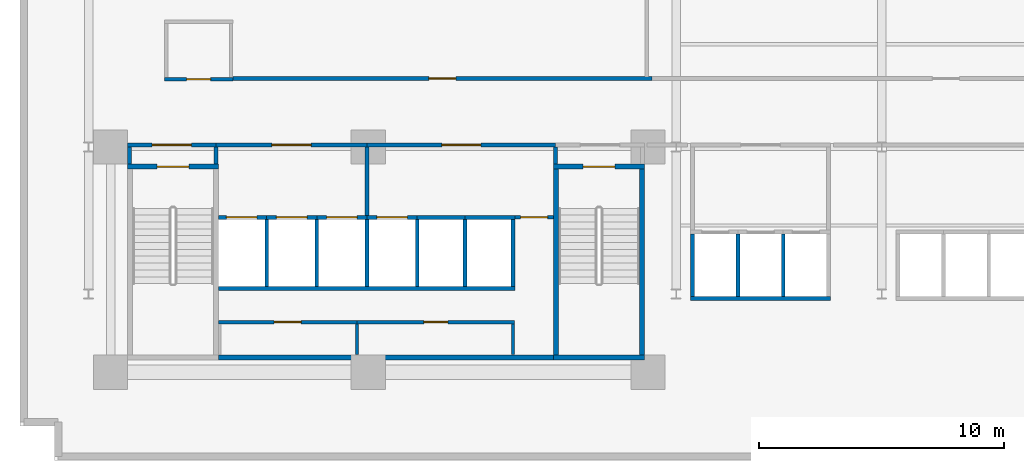
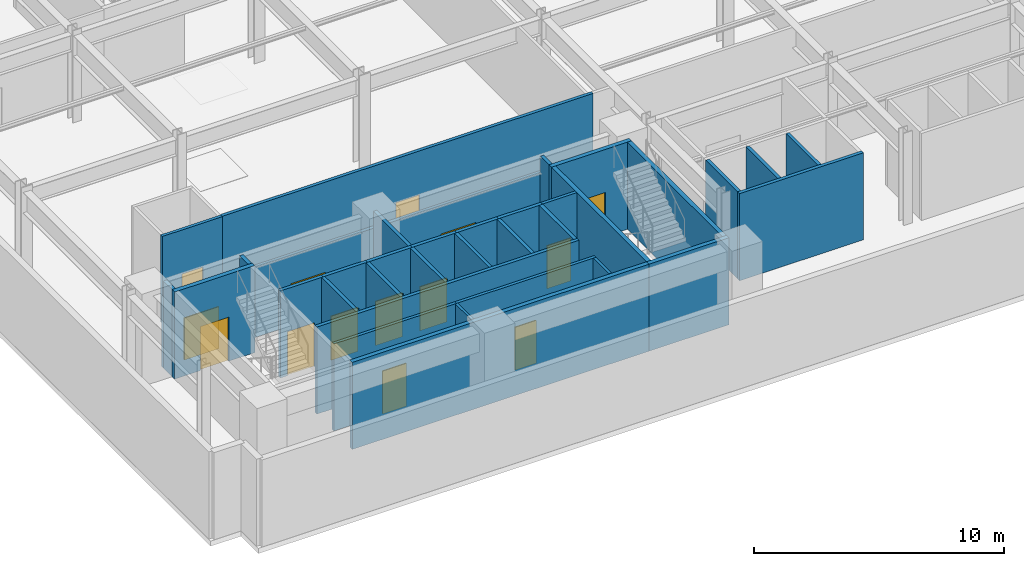
# One storey, part 14 of 26: 37 walls, 14 doors, 14 openings.
"""IFC4 building model written with IfcOpenShell, lengths in metres."""

from ifc_helpers import new_model, si_unit, direction, frame, frame_2d, origin, place, context, subcontext, project, spatial, rectangle, extrude, material, layer, layer_set, type_object, element, fill, save


model = new_model("IFC4")

# Units and contexts
model_context = context("Model", 3, precision=1e-05, world=origin(), true_north=direction((0.0, 1.0)))
body_context = subcontext(model_context, "Body", "Model", "MODEL_VIEW")
ifc_project = project(units=[si_unit("LENGTHUNIT", "METRE"), si_unit("AREAUNIT", "SQUARE_METRE"), si_unit("VOLUMEUNIT", "CUBIC_METRE"), si_unit("PLANEANGLEUNIT", "RADIAN"), si_unit("MASSUNIT", "GRAM", prefix="KILO")], contexts=[model_context])

# Site, building, storey
site_placement = place(None, origin())
site = spatial("IfcSite", under=ifc_project, at=site_placement, CompositionType="ELEMENT")
building_placement = place(site_placement, origin())
building = spatial("IfcBuilding", under=site, at=building_placement, Name="Varnakote Quay Hospital", CompositionType="ELEMENT")
storey_placement = place(building_placement, frame((0.0, 0.0, 13.5)))
storey = spatial("IfcBuildingStorey", under=building, at=storey_placement, Name="L03", CompositionType="ELEMENT", Elevation=13.5)

# Wall
ifc_material_1 = material(Name="Fire-rated acoustic gypsum stud wall", Category="gypsum")
ifc_layer_1 = layer(ifc_material_1, 0.159912109375)
ifc_layer_set_1 = layer_set([ifc_layer_1], Name="Fire-rated acoustic gypsum stud wall")
wall_type_1 = type_object("IfcWallType", Name="WL-COMP-160", PredefinedType="PARTITIONING", material=ifc_layer_set_1)
wall_1_placement = place(storey_placement, frame((2.8798828125, 11.300048828125, 0.0), z_axis=(0.0, 0.0, 1.0), x_axis=(0.0, 1.0, 0.0)))
element("IfcWall", 1, at=wall_1_placement, inside=storey, type_object=wall_type_1, Name="L03 West Stair Vestibule West Wall", PredefinedType="PARTITIONING", context=body_context, shape_type="SweptSolid", body=[
    extrude(rectangle(XDim=0.699951171875, YDim=0.159912109375, at=frame_2d((0.35009765625, 0.0))), origin(), (0.0, 0.0, 1.0), 4.25),
])

# Wall, opening, door
wall_2_placement = place(storey_placement, frame((2.800048828125, 12.080078125, 0.0), z_axis=(0.0, 0.0, 1.0), x_axis=(1.0, 0.0, 0.0)))
wall_2 = element("IfcWall", 2, at=wall_2_placement, inside=storey, type_object=wall_type_1, Name="L03 West Stair Vestibule Smoke Wall", PredefinedType="PARTITIONING", context=body_context, shape_type="SweptSolid", body=[
    extrude(rectangle(XDim=3.599853515625, YDim=0.159912109375, at=frame_2d((1.7998046875, 0.0))), origin(), (0.0, 0.0, 1.0), 3.425048828125),
])
opening_1_placement = place(wall_2_placement, frame((1.0, 0.0, 0.0)))
opening_1 = element("IfcOpeningElement", 3, at=opening_1_placement, cuts=wall_2, Name="Opening D-ST1L-L03", PredefinedType="OPENING", context=body_context, shape_type="SweptSolid", body=[
    extrude(rectangle(XDim=1.60009765625, YDim=2.050048828125, at=frame_2d((0.800048828125, 1.02490234375))), frame((0.0, 0.08984375, 0.0), z_axis=(0.0, -1.0, 0.0), x_axis=(1.0, 0.0, 0.0)), (0.0, 0.0, 1.0), 0.179931640625),
])
ifc_material_2 = material(Name="Fire-rated double smoke lobby door")
door_type_1 = type_object("IfcDoorType", Name="DR-LOBBY-FD60S-1600x2150", OperationType="NOTDEFINED", PredefinedType="DOOR", material=ifc_material_2)
door_1_placement = place(opening_1_placement, origin())
door_1 = element("IfcDoor", 4, at=door_1_placement, inside=storey, type_object=door_type_1, Name="L03 West Stair Vestibule Smoke Door", OperationType="DOUBLE_DOOR_SINGLE_SWING", OverallHeight=2.050048828125, OverallWidth=1.60009765625, PredefinedType="DOOR", context=body_context, shape_type="SweptSolid", body=[
    extrude(rectangle(XDim=1.60009765625, YDim=2.050048828125, at=frame_2d((0.800048828125, 1.02490234375))), frame((0.0, 0.02490234375, 0.0), z_axis=(0.0, -1.0, 0.0), x_axis=(1.0, 0.0, 0.0)), (0.0, 0.0, 1.0), 0.050048828125),
])
fill(opening_1, door_1)

# Wall
wall_3_placement = place(storey_placement, frame((6.39990234375, 11.300048828125, 0.0), z_axis=(0.0, 0.0, 1.0), x_axis=(0.0, 1.0, 0.0)))
element("IfcWall", 5, at=wall_3_placement, inside=storey, type_object=wall_type_1, Name="L03 Firefighting Lobby West Wall", PredefinedType="PARTITIONING", context=body_context, shape_type="SweptSolid", body=[
    extrude(rectangle(XDim=0.699951171875, YDim=0.159912109375, at=frame_2d((0.35009765625, 0.0))), origin(), (0.0, 0.0, 1.0), 4.25),
])

# Wall, opening, door
wall_4_placement = place(storey_placement, frame((6.39990234375, 12.080078125, 0.0), z_axis=(0.0, 0.0, 1.0), x_axis=(1.0, 0.0, 0.0)))
wall_4 = element("IfcWall", 6, at=wall_4_placement, inside=storey, type_object=wall_type_1, Name="L03 Firefighting Lift Lobby Compartment Wall", PredefinedType="PARTITIONING", context=body_context, shape_type="SweptSolid", body=[
    extrude(rectangle(XDim=6.18017578125, YDim=0.159912109375, at=frame_2d((3.090087890625, 0.0))), origin(), (0.0, 0.0, 1.0), 3.425048828125),
])
opening_2_placement = place(wall_4_placement, frame((2.2900390625, 0.0, 0.0)))
opening_2 = element("IfcOpeningElement", 7, at=opening_2_placement, cuts=wall_4, Name="Opening D-FFL-L03", PredefinedType="OPENING", context=body_context, shape_type="SweptSolid", body=[
    extrude(rectangle(XDim=1.60009765625, YDim=2.050048828125, at=frame_2d((0.800048828125, 1.02490234375))), frame((0.0, 0.08984375, 0.0), z_axis=(0.0, -1.0, 0.0), x_axis=(1.0, 0.0, 0.0)), (0.0, 0.0, 1.0), 0.179931640625),
])
door_2_placement = place(opening_2_placement, origin())
door_2 = element("IfcDoor", 8, at=door_2_placement, inside=storey, type_object=door_type_1, Name="L03 Firefighting Smoke Vestibule Door", OperationType="DOUBLE_DOOR_SINGLE_SWING", OverallHeight=2.050048828125, OverallWidth=1.60009765625, PredefinedType="DOOR", context=body_context, shape_type="SweptSolid", body=[
    extrude(rectangle(XDim=1.60009765625, YDim=2.050048828125, at=frame_2d((0.800048828125, 1.02490234375))), frame((0.0, 0.02490234375, 0.0), z_axis=(0.0, -1.0, 0.0), x_axis=(1.0, 0.0, 0.0)), (0.0, 0.0, 1.0), 0.050048828125),
])
fill(opening_2, door_2)

# Wall
wall_5_placement = place(storey_placement, frame((12.580078125, 9.2099609375, 0.0), z_axis=(0.0, 0.0, 1.0), x_axis=(0.0, 1.0, 0.0)))
element("IfcWall", 9, at=wall_5_placement, inside=storey, type_object=wall_type_1, Name="L03 Firefighting to Service Lobby Wall", PredefinedType="PARTITIONING", context=body_context, shape_type="SweptSolid", body=[
    extrude(rectangle(XDim=2.7900390625, YDim=0.159912109375, at=frame_2d((1.39501953125, 0.0))), origin(), (0.0, 0.0, 1.0), 4.25),
])

# Wall, opening, door
wall_6_placement = place(storey_placement, frame((12.580078125, 12.080078125, 0.0), z_axis=(0.0, 0.0, 1.0), x_axis=(1.0, 0.0, 0.0)))
wall_6 = element("IfcWall", 10, at=wall_6_placement, inside=storey, type_object=wall_type_1, Name="L03 Clinical Bed Lift Lobby Wall", PredefinedType="PARTITIONING", context=body_context, shape_type="SweptSolid", body=[
    extrude(rectangle(XDim=7.699951171875, YDim=0.159912109375, at=frame_2d((3.85009765625, 0.0))), origin(), (0.0, 0.0, 1.0), 3.425048828125),
])
opening_3_placement = place(wall_6_placement, frame((3.050048828125, 0.0, 0.0)))
opening_3 = element("IfcOpeningElement", 11, at=opening_3_placement, cuts=wall_6, Name="Opening D-SVL-L03", PredefinedType="OPENING", context=body_context, shape_type="SweptSolid", body=[
    extrude(rectangle(XDim=1.60009765625, YDim=2.050048828125, at=frame_2d((0.800048828125, 1.02490234375))), frame((0.0, 0.08984375, 0.0), z_axis=(0.0, -1.0, 0.0), x_axis=(1.0, 0.0, 0.0)), (0.0, 0.0, 1.0), 0.179931640625),
])
door_3_placement = place(opening_3_placement, origin())
door_3 = element("IfcDoor", 12, at=door_3_placement, inside=storey, type_object=door_type_1, Name="L03 Clinical Core Smoke Vestibule Door", OperationType="DOUBLE_DOOR_SINGLE_SWING", OverallHeight=2.050048828125, OverallWidth=1.60009765625, PredefinedType="DOOR", context=body_context, shape_type="SweptSolid", body=[
    extrude(rectangle(XDim=1.60009765625, YDim=2.050048828125, at=frame_2d((0.800048828125, 1.02490234375))), frame((0.0, 0.02490234375, 0.0), z_axis=(0.0, -1.0, 0.0), x_axis=(1.0, 0.0, 0.0)), (0.0, 0.0, 1.0), 0.050048828125),
])
fill(opening_3, door_3)

# Walls
wall_7_placement = place(storey_placement, frame((20.280029296875, 11.300048828125, 0.0), z_axis=(0.0, 0.0, 1.0), x_axis=(0.0, 1.0, 0.0)))
element("IfcWall", 13, at=wall_7_placement, inside=storey, type_object=wall_type_1, Name="L03 East Stair Vestibule Divider Wall", PredefinedType="PARTITIONING", context=body_context, shape_type="SweptSolid", body=[
    extrude(rectangle(XDim=0.699951171875, YDim=0.159912109375, at=frame_2d((0.35009765625, 0.0))), origin(), (0.0, 0.0, 1.0), 4.25),
])
ifc_material_3 = material(Name="Concrete N80 (f'c 80 MPa)", Category="concrete")
ifc_layer_2 = layer(ifc_material_3, 0.199951171875)
ifc_layer_set_2 = layer_set([ifc_layer_2], Name="Concrete N80 (f'c 80 MPa)")
wall_type_2 = type_object("IfcWallType", Name="WL-CORE-N80-200", PredefinedType="SHEAR", material=ifc_layer_set_2)
wall_8_placement = place(storey_placement, frame((6.5, 3.39990234375, 0.0), z_axis=(0.0, 0.0, 1.0), x_axis=(1.0, 0.0, 0.0)))
element("IfcWall", 14, at=wall_8_placement, inside=storey, type_object=wall_type_2, Name="L03 Rear Core South Shear Wall", PredefinedType="SHEAR", context=body_context, shape_type="SweptSolid", body=[
    extrude(rectangle(XDim=13.699951171875, YDim=0.199951171875, at=frame_2d((6.85009765625, 0.0))), origin(), (0.0, 0.0, 1.0), 4.25),
])
ifc_material_4 = material(Name="Concrete N50 (f'c 50 MPa)", Category="concrete")
ifc_layer_3 = layer(ifc_material_4, 0.14990234375)
ifc_layer_set_3 = layer_set([ifc_layer_3], Name="Concrete N50 (f'c 50 MPa)")
wall_type_3 = type_object("IfcWallType", Name="WL-SHAFT-N50-150", PredefinedType="SHEAR", material=ifc_layer_set_3)
for number, where, z_axis, x_axis, name in (
    (15, (8.47509765625, 6.300048828125, 0.0), (0.0, 0.0, 1.0), (0.0, 1.0, 0.0), "L03 LF-FF1 Hoistway Divider Wall"),
    (16, (10.52490234375, 6.300048828125, 0.0), (0.0, 0.0, 1.0), (0.0, 1.0, 0.0), "L03 LF-FF2 Hoistway Divider Wall"),
    (17, (12.574951171875, 6.300048828125, 0.0), (0.0, 0.0, 1.0), (0.0, 1.0, 0.0), "L03 LF-SV1 Hoistway Divider Wall"),
    (18, (14.625, 6.300048828125, 0.0), (0.0, 0.0, 1.0), (0.0, 1.0, 0.0), "L03 LF-SV2 Hoistway Divider Wall"),
    (19, (16.574951171875, 6.300048828125, 0.0), (0.0, 0.0, 1.0), (0.0, 1.0, 0.0), "L03 LF-PH1 Hoistway Divider Wall"),
):
    element("IfcWall", number, at=place(storey_placement, frame(where, z_axis=z_axis, x_axis=x_axis)), inside=storey, type_object=wall_type_3, Name=name, PredefinedType="SHEAR", context=body_context, shape_type="SweptSolid", body=[
        extrude(rectangle(XDim=2.75, YDim=0.14990234375, at=frame_2d((1.375, 0.0))), origin(), (0.0, 0.0, 1.0), 4.25),
    ])
for number, where, z_axis, x_axis, name in (
    (20, (27.72509765625, 5.89990234375, 0.0), (0.0, 0.0, 1.0), (0.0, 1.0, 0.0), "L03 LF-PL1 Hoistway Divider Wall"),
    (21, (29.574951171875, 5.89990234375, 0.0), (0.0, 0.0, 1.0), (0.0, 1.0, 0.0), "L03 LF-PL2 Hoistway Divider Wall"),
):
    element("IfcWall", number, at=place(storey_placement, frame(where, z_axis=z_axis, x_axis=x_axis)), inside=storey, type_object=wall_type_3, Name=name, PredefinedType="SHEAR", context=body_context, shape_type="SweptSolid", body=[
        extrude(rectangle(XDim=2.550048828125, YDim=0.14990234375, at=frame_2d((1.27490234375, 0.0))), origin(), (0.0, 0.0, 1.0), 4.25),
    ])
ifc_material_5 = material(Name="Concrete N50 (f'c 50 MPa)", Category="concrete")
ifc_layer_4 = layer(ifc_material_5, 0.159912109375)
ifc_layer_set_4 = layer_set([ifc_layer_4], Name="Concrete N50 (f'c 50 MPa)")
wall_type_4 = type_object("IfcWallType", Name="WL-SHAFT-N50-160", PredefinedType="SHEAR", material=ifc_layer_set_4)
wall_9_placement = place(storey_placement, frame((6.5, 6.219970703125, 0.0), z_axis=(0.0, 0.0, 1.0), x_axis=(1.0, 0.0, 0.0)))
element("IfcWall", 22, at=wall_9_placement, inside=storey, type_object=wall_type_4, Name="L03 REAR Lift Bank Back Shear Wall", PredefinedType="SHEAR", context=body_context, shape_type="SweptSolid", body=[
    extrude(rectangle(XDim=12.110107421875, YDim=0.159912109375, at=frame_2d((6.05517578125, 0.0))), origin(), (0.0, 0.0, 1.0), 4.25),
])
wall_10_placement = place(storey_placement, frame((18.530029296875, 6.300048828125, 0.0), z_axis=(0.0, 0.0, 1.0), x_axis=(0.0, 1.0, 0.0)))
element("IfcWall", 23, at=wall_10_placement, inside=storey, type_object=wall_type_4, Name="L03 REAR Lift Bank East Shear Wall", PredefinedType="SHEAR", context=body_context, shape_type="SweptSolid", body=[
    extrude(rectangle(XDim=2.75, YDim=0.159912109375, at=frame_2d((1.375, 0.0))), origin(), (0.0, 0.0, 1.0), 4.25),
])

# Wall, opening, door
wall_11_placement = place(storey_placement, frame((6.5, 9.1298828125, 0.0), z_axis=(0.0, 0.0, 1.0), x_axis=(1.0, 0.0, 0.0)))
wall_11 = element("IfcWall", 24, at=wall_11_placement, inside=storey, type_object=wall_type_4, Name="L03 LF-FF1 Hoistway Front Wall", PredefinedType="SHEAR", context=body_context, shape_type="SweptSolid", body=[
    extrude(rectangle(XDim=1.97509765625, YDim=0.159912109375, at=frame_2d((0.987548828125, 0.0))), origin(), (0.0, 0.0, 1.0), 4.25),
])
opening_4_placement = place(wall_11_placement, frame((0.324951171875, 0.0, 0.0)))
opening_4 = element("IfcOpeningElement", 25, at=opening_4_placement, cuts=wall_11, Name="Opening LD-FF1-L03", PredefinedType="OPENING", context=body_context, shape_type="SweptSolid", body=[
    extrude(rectangle(XDim=1.25, YDim=2.14990234375, at=frame_2d((0.625, 1.074951171875))), frame((0.0, 0.08984375, 0.0), z_axis=(0.0, -1.0, 0.0), x_axis=(1.0, 0.0, 0.0)), (0.0, 0.0, 1.0), 0.179931640625),
])
ifc_material_6 = material(Name="Stainless steel lift landing sliding door", Category="steel")
door_type_2 = type_object("IfcDoorType", Name="DR-LIFT-LD-1250x2150", OperationType="NOTDEFINED", PredefinedType="DOOR", material=ifc_material_6)
door_4_placement = place(opening_4_placement, origin())
door_4 = element("IfcDoor", 26, at=door_4_placement, inside=storey, type_object=door_type_2, Name="L03 LF-FF1 Lift Landing Sliding Door", OperationType="SLIDING_TO_LEFT", OverallHeight=2.14990234375, OverallWidth=1.25, PredefinedType="DOOR", context=body_context, shape_type="SweptSolid", body=[
    extrude(rectangle(XDim=1.25, YDim=2.14990234375, at=frame_2d((0.625, 1.074951171875))), frame((0.0, 0.02490234375, 0.0), z_axis=(0.0, -1.0, 0.0), x_axis=(1.0, 0.0, 0.0)), (0.0, 0.0, 1.0), 0.050048828125),
])
fill(opening_4, door_4)

wall_12_placement = place(storey_placement, frame((8.47509765625, 9.1298828125, 0.0), z_axis=(0.0, 0.0, 1.0), x_axis=(1.0, 0.0, 0.0)))
wall_12 = element("IfcWall", 27, at=wall_12_placement, inside=storey, type_object=wall_type_4, Name="L03 LF-FF2 Hoistway Front Wall", PredefinedType="SHEAR", context=body_context, shape_type="SweptSolid", body=[
    extrude(rectangle(XDim=2.0498046875, YDim=0.159912109375, at=frame_2d((1.02490234375, 0.0))), origin(), (0.0, 0.0, 1.0), 4.25),
])
opening_5_placement = place(wall_12_placement, frame((0.39990234375, 0.0, 0.0)))
opening_5 = element("IfcOpeningElement", 28, at=opening_5_placement, cuts=wall_12, Name="Opening LD-FF2-L03", PredefinedType="OPENING", context=body_context, shape_type="SweptSolid", body=[
    extrude(rectangle(XDim=1.25, YDim=2.14990234375, at=frame_2d((0.625, 1.074951171875))), frame((0.0, 0.08984375, 0.0), z_axis=(0.0, -1.0, 0.0), x_axis=(1.0, 0.0, 0.0)), (0.0, 0.0, 1.0), 0.179931640625),
])
door_5_placement = place(opening_5_placement, origin())
door_5 = element("IfcDoor", 29, at=door_5_placement, inside=storey, type_object=door_type_2, Name="L03 LF-FF2 Lift Landing Sliding Door", OperationType="SLIDING_TO_LEFT", OverallHeight=2.14990234375, OverallWidth=1.25, PredefinedType="DOOR", context=body_context, shape_type="SweptSolid", body=[
    extrude(rectangle(XDim=1.25, YDim=2.14990234375, at=frame_2d((0.625, 1.074951171875))), frame((0.0, 0.02490234375, 0.0), z_axis=(0.0, -1.0, 0.0), x_axis=(1.0, 0.0, 0.0)), (0.0, 0.0, 1.0), 0.050048828125),
])
fill(opening_5, door_5)

wall_13_placement = place(storey_placement, frame((10.52490234375, 9.1298828125, 0.0), z_axis=(0.0, 0.0, 1.0), x_axis=(1.0, 0.0, 0.0)))
wall_13 = element("IfcWall", 30, at=wall_13_placement, inside=storey, type_object=wall_type_4, Name="L03 LF-SV1 Hoistway Front Wall", PredefinedType="SHEAR", context=body_context, shape_type="SweptSolid", body=[
    extrude(rectangle(XDim=2.050048828125, YDim=0.159912109375, at=frame_2d((1.02490234375, 0.0))), origin(), (0.0, 0.0, 1.0), 4.25),
])
opening_6_placement = place(wall_13_placement, frame((0.39990234375, 0.0, 0.0)))
opening_6 = element("IfcOpeningElement", 31, at=opening_6_placement, cuts=wall_13, Name="Opening LD-SV1-L03", PredefinedType="OPENING", context=body_context, shape_type="SweptSolid", body=[
    extrude(rectangle(XDim=1.25, YDim=2.14990234375, at=frame_2d((0.625, 1.074951171875))), frame((0.0, 0.08984375, 0.0), z_axis=(0.0, -1.0, 0.0), x_axis=(1.0, 0.0, 0.0)), (0.0, 0.0, 1.0), 0.179931640625),
])
door_6_placement = place(opening_6_placement, origin())
door_6 = element("IfcDoor", 32, at=door_6_placement, inside=storey, type_object=door_type_2, Name="L03 LF-SV1 Lift Landing Sliding Door", OperationType="SLIDING_TO_LEFT", OverallHeight=2.14990234375, OverallWidth=1.25, PredefinedType="DOOR", context=body_context, shape_type="SweptSolid", body=[
    extrude(rectangle(XDim=1.25, YDim=2.14990234375, at=frame_2d((0.625, 1.074951171875))), frame((0.0, 0.02490234375, 0.0), z_axis=(0.0, -1.0, 0.0), x_axis=(1.0, 0.0, 0.0)), (0.0, 0.0, 1.0), 0.050048828125),
])
fill(opening_6, door_6)

wall_14_placement = place(storey_placement, frame((12.574951171875, 9.1298828125, 0.0), z_axis=(0.0, 0.0, 1.0), x_axis=(1.0, 0.0, 0.0)))
wall_14 = element("IfcWall", 33, at=wall_14_placement, inside=storey, type_object=wall_type_4, Name="L03 LF-SV2 Hoistway Front Wall", PredefinedType="SHEAR", context=body_context, shape_type="SweptSolid", body=[
    extrude(rectangle(XDim=2.050048828125, YDim=0.159912109375, at=frame_2d((1.02490234375, 0.0))), origin(), (0.0, 0.0, 1.0), 4.25),
])
opening_7_placement = place(wall_14_placement, frame((0.39990234375, 0.0, 0.0)))
opening_7 = element("IfcOpeningElement", 34, at=opening_7_placement, cuts=wall_14, Name="Opening LD-SV2-L03", PredefinedType="OPENING", context=body_context, shape_type="SweptSolid", body=[
    extrude(rectangle(XDim=1.25, YDim=2.14990234375, at=frame_2d((0.625, 1.074951171875))), frame((0.0, 0.08984375, 0.0), z_axis=(0.0, -1.0, 0.0), x_axis=(1.0, 0.0, 0.0)), (0.0, 0.0, 1.0), 0.179931640625),
])
door_7_placement = place(opening_7_placement, origin())
door_7 = element("IfcDoor", 35, at=door_7_placement, inside=storey, type_object=door_type_2, Name="L03 LF-SV2 Lift Landing Sliding Door", OperationType="SLIDING_TO_LEFT", OverallHeight=2.14990234375, OverallWidth=1.25, PredefinedType="DOOR", context=body_context, shape_type="SweptSolid", body=[
    extrude(rectangle(XDim=1.25, YDim=2.14990234375, at=frame_2d((0.625, 1.074951171875))), frame((0.0, 0.02490234375, 0.0), z_axis=(0.0, -1.0, 0.0), x_axis=(1.0, 0.0, 0.0)), (0.0, 0.0, 1.0), 0.050048828125),
])
fill(opening_7, door_7)

# Walls
wall_15_placement = place(storey_placement, frame((14.625, 9.1298828125, 0.0), z_axis=(0.0, 0.0, 1.0), x_axis=(1.0, 0.0, 0.0)))
element("IfcWall", 36, at=wall_15_placement, inside=storey, type_object=wall_type_4, Name="L03 LF-PH1 Hoistway Front Wall", PredefinedType="SHEAR", context=body_context, shape_type="SweptSolid", body=[
    extrude(rectangle(XDim=1.949951171875, YDim=0.159912109375, at=frame_2d((0.97509765625, 0.0))), origin(), (0.0, 0.0, 1.0), 4.25),
])
wall_16_placement = place(storey_placement, frame((16.574951171875, 9.1298828125, 0.0), z_axis=(0.0, 0.0, 1.0), x_axis=(1.0, 0.0, 0.0)))
element("IfcWall", 37, at=wall_16_placement, inside=storey, type_object=wall_type_4, Name="L03 LF-PH2 Hoistway Front Wall", PredefinedType="SHEAR", context=body_context, shape_type="SweptSolid", body=[
    extrude(rectangle(XDim=2.03515625, YDim=0.159912109375, at=frame_2d((1.017578125, 0.0))), origin(), (0.0, 0.0, 1.0), 4.25),
])
wall_17_placement = place(storey_placement, frame((25.7900390625, 5.820068359375, 0.0), z_axis=(0.0, 0.0, 1.0), x_axis=(1.0, 0.0, 0.0)))
element("IfcWall", 38, at=wall_17_placement, inside=storey, type_object=wall_type_4, Name="L03 LOW Lift Bank Back Shear Wall", PredefinedType="SHEAR", context=body_context, shape_type="SweptSolid", body=[
    extrude(rectangle(XDim=5.719970703125, YDim=0.159912109375, at=frame_2d((2.85986328125, 0.0))), origin(), (0.0, 0.0, 1.0), 4.25),
])
wall_18_placement = place(storey_placement, frame((25.8701171875, 5.89990234375, 0.0), z_axis=(0.0, 0.0, 1.0), x_axis=(0.0, 1.0, 0.0)))
element("IfcWall", 39, at=wall_18_placement, inside=storey, type_object=wall_type_4, Name="L03 LOW Lift Bank West Shear Wall", PredefinedType="SHEAR", context=body_context, shape_type="SweptSolid", body=[
    extrude(rectangle(XDim=2.550048828125, YDim=0.159912109375, at=frame_2d((1.27490234375, 0.0))), origin(), (0.0, 0.0, 1.0), 4.25),
])

# Wall, opening, door
ifc_material_7 = material(Name="Concrete N50 (f'c 50 MPa)", Category="concrete")
ifc_layer_5 = layer(ifc_material_7, 0.199951171875)
ifc_layer_set_5 = layer_set([ifc_layer_5], Name="Concrete N50 (f'c 50 MPa)")
wall_type_5 = type_object("IfcWallType", Name="WL-SHAFT-N50-200", PredefinedType="SHEAR", material=ifc_layer_set_5)
wall_19_placement = place(storey_placement, frame((2.800048828125, 11.199951171875, 0.0), z_axis=(0.0, 0.0, 1.0), x_axis=(1.0, 0.0, 0.0)))
wall_19 = element("IfcWall", 40, at=wall_19_placement, inside=storey, type_object=wall_type_5, Name="L03 Stair ST1 Exit Wall", PredefinedType="SHEAR", context=body_context, shape_type="SweptSolid", body=[
    extrude(rectangle(XDim=3.699951171875, YDim=0.199951171875, at=frame_2d((1.85009765625, 0.0))), origin(), (0.0, 0.0, 1.0), 4.25),
])
opening_8_placement = place(wall_19_placement, frame((1.199951171875, 0.0, 0.0)))
opening_8 = element("IfcOpeningElement", 41, at=opening_8_placement, cuts=wall_19, Name="Opening D-ST1-L03", PredefinedType="OPENING", context=body_context, shape_type="SweptSolid", body=[
    extrude(rectangle(XDim=1.300048828125, YDim=2.14990234375, at=frame_2d((0.64990234375, 1.074951171875))), frame((0.0, 0.10986328125, 0.0), z_axis=(0.0, -1.0, 0.0), x_axis=(1.0, 0.0, 0.0)), (0.0, 0.0, 1.0), 0.219970703125),
])
ifc_material_8 = material(Name="Fire-rated ceramic-glazed timber exit door", Category="wood")
door_type_3 = type_object("IfcDoorType", Name="DR-STAIR-FD60S-1300x2150", OperationType="NOTDEFINED", PredefinedType="DOOR", material=ifc_material_8)
door_8_placement = place(opening_8_placement, origin())
door_8 = element("IfcDoor", 42, at=door_8_placement, inside=storey, type_object=door_type_3, Name="L03 Stair ST1 Fire Exit Door", OperationType="SINGLE_SWING_RIGHT", OverallHeight=2.14990234375, OverallWidth=1.300048828125, PredefinedType="DOOR", context=body_context, shape_type="SweptSolid", body=[
    extrude(rectangle(XDim=1.300048828125, YDim=2.14990234375, at=frame_2d((0.64990234375, 1.074951171875))), frame((0.0, 0.02490234375, 0.0), z_axis=(0.0, -1.0, 0.0), x_axis=(1.0, 0.0, 0.0)), (0.0, 0.0, 1.0), 0.050048828125),
])
fill(opening_8, door_8)

# Walls
wall_20_placement = place(storey_placement, frame((20.199951171875, 3.39990234375, 0.0), z_axis=(0.0, 0.0, 1.0), x_axis=(1.0, 0.0, 0.0)))
element("IfcWall", 43, at=wall_20_placement, inside=storey, type_object=wall_type_5, Name="L03 Stair ST2 South Shaft Wall", PredefinedType="SHEAR", context=body_context, shape_type="SweptSolid", body=[
    extrude(rectangle(XDim=3.699951171875, YDim=0.199951171875, at=frame_2d((1.85009765625, 0.0))), origin(), (0.0, 0.0, 1.0), 4.25),
])
for number, where, z_axis, x_axis, name in (
    (44, (20.300048828125, 3.5, 0.0), (0.0, 0.0, 1.0), (0.0, 1.0, 0.0), "L03 Stair ST2 West Shaft Wall"),
    (45, (23.800048828125, 3.5, 0.0), (0.0, 0.0, 1.0), (0.0, 1.0, 0.0), "L03 Stair ST2 East Shaft Wall"),
):
    element("IfcWall", number, at=place(storey_placement, frame(where, z_axis=z_axis, x_axis=x_axis)), inside=storey, type_object=wall_type_5, Name=name, PredefinedType="SHEAR", context=body_context, shape_type="SweptSolid", body=[
        extrude(rectangle(XDim=7.60009765625, YDim=0.199951171875, at=frame_2d((3.800048828125, 0.0))), origin(), (0.0, 0.0, 1.0), 4.25),
    ])

# Wall, opening, door
wall_21_placement = place(storey_placement, frame((20.199951171875, 11.199951171875, 0.0), z_axis=(0.0, 0.0, 1.0), x_axis=(1.0, 0.0, 0.0)))
wall_21 = element("IfcWall", 46, at=wall_21_placement, inside=storey, type_object=wall_type_5, Name="L03 Stair ST2 Exit Wall", PredefinedType="SHEAR", context=body_context, shape_type="SweptSolid", body=[
    extrude(rectangle(XDim=3.699951171875, YDim=0.199951171875, at=frame_2d((1.85009765625, 0.0))), origin(), (0.0, 0.0, 1.0), 4.25),
])
opening_9_placement = place(wall_21_placement, frame((1.199951171875, 0.0, 0.0)))
opening_9 = element("IfcOpeningElement", 47, at=opening_9_placement, cuts=wall_21, Name="Opening D-ST2-L03", PredefinedType="OPENING", context=body_context, shape_type="SweptSolid", body=[
    extrude(rectangle(XDim=1.300048828125, YDim=2.14990234375, at=frame_2d((0.64990234375, 1.074951171875))), frame((0.0, 0.10986328125, 0.0), z_axis=(0.0, -1.0, 0.0), x_axis=(1.0, 0.0, 0.0)), (0.0, 0.0, 1.0), 0.219970703125),
])
door_9_placement = place(opening_9_placement, origin())
door_9 = element("IfcDoor", 48, at=door_9_placement, inside=storey, type_object=door_type_3, Name="L03 Stair ST2 Fire Exit Door", OperationType="SINGLE_SWING_LEFT", OverallHeight=2.14990234375, OverallWidth=1.300048828125, PredefinedType="DOOR", context=body_context, shape_type="SweptSolid", body=[
    extrude(rectangle(XDim=1.300048828125, YDim=2.14990234375, at=frame_2d((0.64990234375, 1.074951171875))), frame((0.0, 0.02490234375, 0.0), z_axis=(0.0, -1.0, 0.0), x_axis=(1.0, 0.0, 0.0)), (0.0, 0.0, 1.0), 0.050048828125),
])
fill(opening_9, door_9)

# Walls
ifc_material_9 = material(Name="Smoke-proof clinical partition", Category="gypsum")
ifc_layer_6 = layer(ifc_material_9, 0.1201171875)
ifc_layer_set_6 = layer_set([ifc_layer_6], Name="Smoke-proof clinical partition")
wall_type_6 = type_object("IfcWallType", Name="WL-SMOKE-120", PredefinedType="PARTITIONING", material=ifc_layer_set_6)
for number, where, z_axis, x_axis, name in (
    (49, (12.169921875, 3.52001953125, 0.0), (0.0, 0.0, 1.0), (0.0, 1.0, 0.0), "L03 Core South Service Divider"),
    (50, (18.5400390625, 3.52001953125, 0.0), (0.0, 0.0, 1.0), (0.0, 1.0, 0.0), "L03 Core South Service East Wall"),
):
    element("IfcWall", number, at=place(storey_placement, frame(where, z_axis=z_axis, x_axis=x_axis)), inside=storey, type_object=wall_type_6, Name=name, PredefinedType="PARTITIONING", context=body_context, shape_type="SweptSolid", body=[
        extrude(rectangle(XDim=1.260009765625, YDim=0.1201171875, at=frame_2d((0.6298828125, 0.0))), origin(), (0.0, 0.0, 1.0), 4.25),
    ])

# Wall, opening, door
ifc_material_10 = material(Name="Fire-rated clinical gypsum partition", Category="gypsum")
ifc_layer_7 = layer(ifc_material_10, 0.139892578125)
ifc_layer_set_7 = layer_set([ifc_layer_7], Name="Fire-rated clinical gypsum partition")
wall_type_7 = type_object("IfcWallType", Name="WL-WARD-140", PredefinedType="PARTITIONING", material=ifc_layer_set_7)
wall_22_placement = place(storey_placement, frame((6.5, 4.85009765625, 0.0), z_axis=(0.0, 0.0, 1.0), x_axis=(1.0, 0.0, 0.0)))
wall_22 = element("IfcWall", 51, at=wall_22_placement, inside=storey, type_object=wall_type_7, Name="L03 Core Clean Linen Store North Wall", PredefinedType="PARTITIONING", context=body_context, shape_type="SweptSolid", body=[
    extrude(rectangle(XDim=5.669921875, YDim=0.139892578125, at=frame_2d((2.8349609375, 0.0))), origin(), (0.0, 0.0, 1.0), 4.25),
])
opening_10_placement = place(wall_22_placement, frame((2.284912109375, 0.0, 0.0)))
opening_10 = element("IfcOpeningElement", 52, at=opening_10_placement, cuts=wall_22, Name="Opening D-L03-CR01", PredefinedType="OPENING", context=body_context, shape_type="SweptSolid", body=[
    extrude(rectangle(XDim=1.10009765625, YDim=2.10009765625, at=frame_2d((0.550048828125, 1.050048828125))), frame((0.0, 0.079833984375, 0.0), z_axis=(0.0, -1.0, 0.0), x_axis=(1.0, 0.0, 0.0)), (0.0, 0.0, 1.0), 0.159912109375),
])
ifc_material_11 = material(Name="Acoustic timber clinical consult door", Category="wood")
door_type_4 = type_object("IfcDoorType", Name="DR-CLIN-FD30S-1100x2100", OperationType="NOTDEFINED", PredefinedType="DOOR", material=ifc_material_11)
door_10_placement = place(opening_10_placement, origin())
door_10 = element("IfcDoor", 53, at=door_10_placement, inside=storey, type_object=door_type_4, Name="L03 Core Clean Linen Store Door", OperationType="SINGLE_SWING_RIGHT", OverallHeight=2.10009765625, OverallWidth=1.10009765625, PredefinedType="DOOR", context=body_context, shape_type="SweptSolid", body=[
    extrude(rectangle(XDim=1.10009765625, YDim=2.10009765625, at=frame_2d((0.550048828125, 1.050048828125))), frame((0.0, 0.02490234375, 0.0), z_axis=(0.0, -1.0, 0.0), x_axis=(1.0, 0.0, 0.0)), (0.0, 0.0, 1.0), 0.050048828125),
])
fill(opening_10, door_10)

wall_23_placement = place(storey_placement, frame((12.169921875, 4.85009765625, 0.0), z_axis=(0.0, 0.0, 1.0), x_axis=(1.0, 0.0, 0.0)))
wall_23 = element("IfcWall", 54, at=wall_23_placement, inside=storey, type_object=wall_type_7, Name="L03 Core Staff Sanitary WC North Wall", PredefinedType="PARTITIONING", context=body_context, shape_type="SweptSolid", body=[
    extrude(rectangle(XDim=6.43017578125, YDim=0.139892578125, at=frame_2d((3.215087890625, 0.0))), origin(), (0.0, 0.0, 1.0), 4.25),
])
opening_11_placement = place(wall_23_placement, frame((2.72509765625, 0.0, 0.0)))
opening_11 = element("IfcOpeningElement", 55, at=opening_11_placement, cuts=wall_23, Name="Opening D-L03-CR02", PredefinedType="OPENING", context=body_context, shape_type="SweptSolid", body=[
    extrude(rectangle(XDim=0.97998046875, YDim=2.10009765625, at=frame_2d((0.489990234375, 1.050048828125))), frame((0.0, 0.079833984375, 0.0), z_axis=(0.0, -1.0, 0.0), x_axis=(1.0, 0.0, 0.0)), (0.0, 0.0, 1.0), 0.159912109375),
])
ifc_material_12 = material(Name="Accessible sanitary compartment door")
door_type_5 = type_object("IfcDoorType", Name="DR-WC-980x2100", OperationType="NOTDEFINED", PredefinedType="DOOR", material=ifc_material_12)
door_11_placement = place(opening_11_placement, origin())
door_11 = element("IfcDoor", 56, at=door_11_placement, inside=storey, type_object=door_type_5, Name="L03 Core Staff Sanitary WC Door", OperationType="SINGLE_SWING_LEFT", OverallHeight=2.10009765625, OverallWidth=0.97998046875, PredefinedType="DOOR", context=body_context, shape_type="SweptSolid", body=[
    extrude(rectangle(XDim=0.97998046875, YDim=2.10009765625, at=frame_2d((0.489990234375, 1.050048828125))), frame((0.0, 0.02490234375, 0.0), z_axis=(0.0, -1.0, 0.0), x_axis=(1.0, 0.0, 0.0)), (0.0, 0.0, 1.0), 0.050048828125),
])
fill(opening_11, door_11)

wall_24_placement = place(storey_placement, frame((18.610107421875, 9.1298828125, 0.0), z_axis=(0.0, 0.0, 1.0), x_axis=(1.0, 0.0, 0.0)))
wall_24 = element("IfcWall", 57, at=wall_24_placement, inside=storey, type_object=wall_type_7, Name="L03 Core Service Corridor North Door Wall", PredefinedType="PARTITIONING", context=body_context, shape_type="SweptSolid", body=[
    extrude(rectangle(XDim=1.58984375, YDim=0.139892578125, at=frame_2d((0.794921875, 0.0))), origin(), (0.0, 0.0, 1.0), 4.25),
])
opening_12_placement = place(wall_24_placement, frame((0.239990234375, 0.0, 0.0)))
opening_12 = element("IfcOpeningElement", 58, at=opening_12_placement, cuts=wall_24, Name="Opening D-CSRV-L03", PredefinedType="OPENING", context=body_context, shape_type="SweptSolid", body=[
    extrude(rectangle(XDim=1.10009765625, YDim=2.10009765625, at=frame_2d((0.550048828125, 1.050048828125))), frame((0.0, 0.079833984375, 0.0), z_axis=(0.0, -1.0, 0.0), x_axis=(1.0, 0.0, 0.0)), (0.0, 0.0, 1.0), 0.159912109375),
])
door_12_placement = place(opening_12_placement, origin())
door_12 = element("IfcDoor", 59, at=door_12_placement, inside=storey, type_object=door_type_4, Name="L03 Core Service Corridor Door", OperationType="SINGLE_SWING_RIGHT", OverallHeight=2.10009765625, OverallWidth=1.10009765625, PredefinedType="DOOR", context=body_context, shape_type="SweptSolid", body=[
    extrude(rectangle(XDim=1.10009765625, YDim=2.10009765625, at=frame_2d((0.550048828125, 1.050048828125))), frame((0.0, 0.02490234375, 0.0), z_axis=(0.0, -1.0, 0.0), x_axis=(1.0, 0.0, 0.0)), (0.0, 0.0, 1.0), 0.050048828125),
])
fill(opening_12, door_12)

wall_25_placement = place(storey_placement, frame((4.31005859375, 14.77001953125, 0.0), z_axis=(0.0, 0.0, 1.0), x_axis=(1.0, 0.0, 0.0)))
wall_25 = element("IfcWall", 60, at=wall_25_placement, inside=storey, type_object=wall_type_7, Name="L03 Floor Unisex Accessible WC S Wall", PredefinedType="PARTITIONING", context=body_context, shape_type="SweptSolid", body=[
    extrude(rectangle(XDim=2.780029296875, YDim=0.139892578125, at=frame_2d((1.39013671875, 0.0))), origin(), (0.0, 0.0, 1.0), 4.25),
])
opening_13_placement = place(wall_25_placement, frame((0.89990234375, 0.0, 0.0)))
opening_13 = element("IfcOpeningElement", 61, at=opening_13_placement, cuts=wall_25, Name="Opening D-L03-EW01", PredefinedType="OPENING", context=body_context, shape_type="SweptSolid", body=[
    extrude(rectangle(XDim=0.97998046875, YDim=2.10009765625, at=frame_2d((0.489990234375, 1.050048828125))), frame((0.0, 0.079833984375, 0.0), z_axis=(0.0, -1.0, 0.0), x_axis=(1.0, 0.0, 0.0)), (0.0, 0.0, 1.0), 0.159912109375),
])
door_13_placement = place(opening_13_placement, origin())
door_13 = element("IfcDoor", 62, at=door_13_placement, inside=storey, type_object=door_type_5, Name="L03 Floor Unisex Accessible WC Door", OperationType="SINGLE_SWING_LEFT", OverallHeight=2.10009765625, OverallWidth=0.97998046875, PredefinedType="DOOR", context=body_context, shape_type="SweptSolid", body=[
    extrude(rectangle(XDim=0.97998046875, YDim=2.10009765625, at=frame_2d((0.489990234375, 1.050048828125))), frame((0.0, 0.02490234375, 0.0), z_axis=(0.0, -1.0, 0.0), x_axis=(1.0, 0.0, 0.0)), (0.0, 0.0, 1.0), 0.050048828125),
])
fill(opening_13, door_13)

ifc_material_13 = material(Name="Fire-rated clinical gypsum partition", Category="gypsum")
ifc_layer_8 = layer(ifc_material_13, 0.14990234375)
ifc_layer_set_8 = layer_set([ifc_layer_8], Name="Fire-rated clinical gypsum partition")
wall_type_8 = type_object("IfcWallType", Name="WL-WARD-150", PredefinedType="PARTITIONING", material=ifc_layer_set_8)
wall_26_placement = place(storey_placement, frame((24.218017578125, 14.800048828125, 0.0), z_axis=(0.0, 0.0, 1.0), x_axis=(-1.0, 0.0, 0.0)))
wall_26 = element("IfcWall", 63, at=wall_26_placement, inside=storey, type_object=wall_type_8, Name="L03 Clinical Interior Partition", PredefinedType="PARTITIONING", context=body_context, shape_type="SweptSolid", body=[
    extrude(rectangle(XDim=17.1259765625, YDim=0.14990234375, at=frame_2d((8.56298828125, 0.0))), origin(), (0.0, 0.0, 1.0), 4.25),
])
opening_14_placement = place(wall_26_placement, frame((8.012939453125, 0.0, 0.0)))
opening_14 = element("IfcOpeningElement", 64, at=opening_14_placement, cuts=wall_26, Name="Opening D-L03-OR03", PredefinedType="OPENING", context=body_context, shape_type="SweptSolid", body=[
    extrude(rectangle(XDim=1.10009765625, YDim=2.10009765625, at=frame_2d((0.550048828125, 1.050048828125))), frame((0.0, 0.0849609375, 0.0), z_axis=(0.0, -1.0, 0.0), x_axis=(1.0, 0.0, 0.0)), (0.0, 0.0, 1.0), 0.169921875),
])
door_14_placement = place(opening_14_placement, origin())
door_14 = element("IfcDoor", 65, at=door_14_placement, inside=storey, type_object=door_type_4, Name="L03 Cardiothoracic Operating Theatre Treatment Suite 9-10 Door", OperationType="SINGLE_SWING_RIGHT", OverallHeight=2.10009765625, OverallWidth=1.10009765625, PredefinedType="DOOR", context=body_context, shape_type="SweptSolid", body=[
    extrude(rectangle(XDim=1.10009765625, YDim=2.10009765625, at=frame_2d((0.550048828125, 1.050048828125))), frame((0.0, 0.02490234375, 0.0), z_axis=(0.0, -1.0, 0.0), x_axis=(1.0, 0.0, 0.0)), (0.0, 0.0, 1.0), 0.050048828125),
])
fill(opening_14, door_14)

save(model, "model.ifc")
